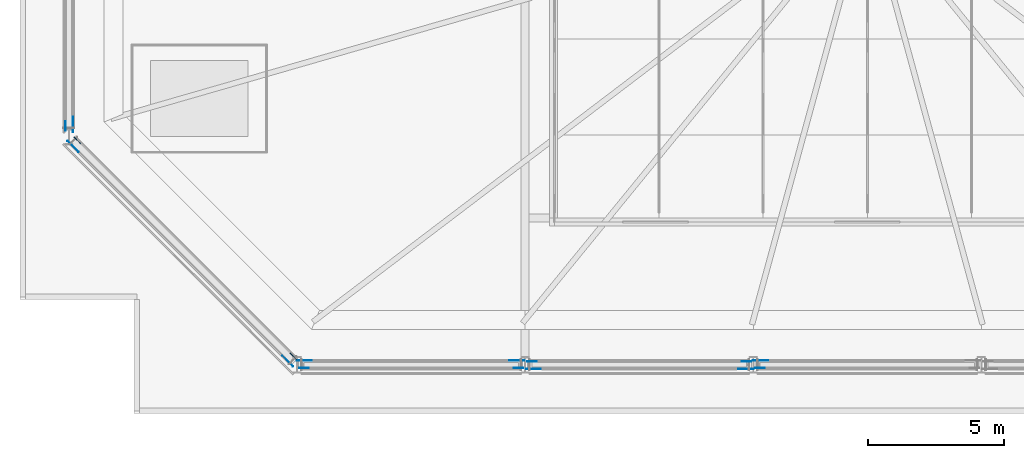
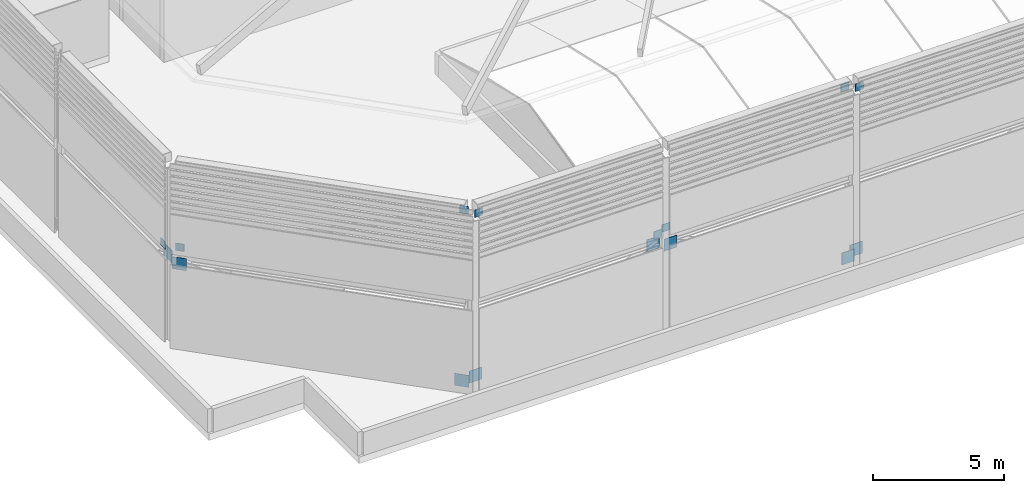
# One storey, part 15 of 22: 16 discrete accessories.
"""IFC4 building model written with IfcOpenShell, lengths in metres."""

from ifc_helpers import new_model, si_unit, direction, frame, origin, origin_2d, place, context, subcontext, project, spatial, rectangle, extrude, element, save


model = new_model("IFC4")

# Units and contexts
model_context = context("Model", 3, precision=1e-05, world=origin(), true_north=direction((0.0, 1.0)))
body_context = subcontext(model_context, "Body", "Model", "MODEL_VIEW")
ifc_project = project(units=[si_unit("LENGTHUNIT", "METRE"), si_unit("AREAUNIT", "SQUARE_METRE"), si_unit("VOLUMEUNIT", "CUBIC_METRE"), si_unit("PLANEANGLEUNIT", "RADIAN"), si_unit("MASSUNIT", "GRAM", prefix="KILO")], contexts=[model_context])

# Site, building, storey
site_placement = place(None, origin())
site = spatial("IfcSite", under=ifc_project, at=site_placement, CompositionType="ELEMENT")
building_placement = place(site_placement, origin())
building = spatial("IfcBuilding", under=site, at=building_placement, Name="Saffron Gate Tower", CompositionType="ELEMENT")
storey_placement = place(building_placement, frame((0.0, 0.0, 314.85009765625)))
storey = spatial("IfcBuildingStorey", under=building, at=storey_placement, Name="Roof crown", CompositionType="ELEMENT", Elevation=314.85009765625)

# Discrete accessories
for number, where, z_axis, x_axis, name in (
    (1, (66.868408203125, 40.35009765625, 0.175537109375), (0.0, 0.0, 1.0), (1.0, 0.0, 0.0), "GUSSET PLATE"),
    (2, (74.701416015625, 40.35009765625, 3.564208984375), (0.0, 0.0, 1.0), (1.0, 0.0, 0.0), "GUSSET PLATE"),
):
    element("IfcDiscreteAccessory", number, at=place(storey_placement, frame(where, z_axis=z_axis, x_axis=x_axis)), inside=storey, Name=name, ObjectType="GUSSET PLATE", PredefinedType="USERDEFINED", context=body_context, shape_type="SweptSolid", body=[
        extrude(rectangle(XDim=0.56005859375, YDim=0.02001953125, at=origin_2d()), origin(), (0.0, 0.0, 1.0), 0.56005859375),
    ])
for number, where, z_axis, x_axis, name in (
    (3, (74.7509765625, 40.077880859375, 4.262451171875), (0.0, 0.0, 1.0), (-1.0, 0.0, 0.0), "GUSSET PLATE"),
    (4, (66.84912109375, 40.077880859375, 8.037109375), (0.0, 0.0, 1.0), (-1.0, 0.0, 0.0), "GUSSET PLATE"),
):
    element("IfcDiscreteAccessory", number, at=place(storey_placement, frame(where, z_axis=z_axis, x_axis=x_axis)), inside=storey, Name=name, ObjectType="GUSSET PLATE", PredefinedType="USERDEFINED", context=body_context, shape_type="SweptSolid", body=[
        extrude(rectangle(XDim=0.35009765625, YDim=0.02001953125, at=origin_2d()), origin(), (0.0, 0.0, 1.0), 0.35009765625),
    ])
for number, where, z_axis, x_axis, name in (
    (5, (83.131591796875, 40.050048828125, 0.175537109375), (0.0, 0.0, 1.0), (-1.0, 0.0, 0.0), "GUSSET PLATE"),
    (6, (75.298583984375, 40.050048828125, 3.564208984375), (0.0, 0.0, 1.0), (-1.0, 0.0, 0.0), "GUSSET PLATE"),
):
    element("IfcDiscreteAccessory", number, at=place(storey_placement, frame(where, z_axis=z_axis, x_axis=x_axis)), inside=storey, Name=name, ObjectType="GUSSET PLATE", PredefinedType="USERDEFINED", context=body_context, shape_type="SweptSolid", body=[
        extrude(rectangle(XDim=0.56005859375, YDim=0.02001953125, at=origin_2d()), origin(), (0.0, 0.0, 1.0), 0.56005859375),
    ])
for number, where, z_axis, x_axis, name in (
    (7, (75.2490234375, 40.322265625, 4.262451171875), (0.0, 0.0, 1.0), (1.0, 0.0, 0.0), "GUSSET PLATE"),
    (8, (83.15087890625, 40.322265625, 8.037109375), (0.0, 0.0, 1.0), (1.0, 0.0, 0.0), "GUSSET PLATE"),
):
    element("IfcDiscreteAccessory", number, at=place(storey_placement, frame(where, z_axis=z_axis, x_axis=x_axis)), inside=storey, Name=name, ObjectType="GUSSET PLATE", PredefinedType="USERDEFINED", context=body_context, shape_type="SweptSolid", body=[
        extrude(rectangle(XDim=0.35009765625, YDim=0.02001953125, at=origin_2d()), origin(), (0.0, 0.0, 1.0), 0.35009765625),
    ])
discrete_accessory_1_placement = place(storey_placement, frame((83.66845703125, 40.35009765625, 0.175537109375), z_axis=(0.0, 0.0, 1.0), x_axis=(1.0, 0.0, 0.0)))
element("IfcDiscreteAccessory", 9, at=discrete_accessory_1_placement, inside=storey, Name="GUSSET PLATE", ObjectType="GUSSET PLATE", PredefinedType="USERDEFINED", context=body_context, shape_type="SweptSolid", body=[
    extrude(rectangle(XDim=0.56005859375, YDim=0.02001953125, at=origin_2d()), origin(), (0.0, 0.0, 1.0), 0.56005859375),
])
discrete_accessory_2_placement = place(storey_placement, frame((83.64892578125, 40.077880859375, 8.037109375), z_axis=(0.0, 0.0, 1.0), x_axis=(-1.0, 0.0, 0.0)))
element("IfcDiscreteAccessory", 10, at=discrete_accessory_2_placement, inside=storey, Name="GUSSET PLATE", ObjectType="GUSSET PLATE", PredefinedType="USERDEFINED", context=body_context, shape_type="SweptSolid", body=[
    extrude(rectangle(XDim=0.35009765625, YDim=0.02001953125, at=origin_2d()), origin(), (0.0, 0.0, 1.0), 0.35009765625),
])
discrete_accessory_3_placement = place(storey_placement, frame((58.35009765625, 49.047607421875, 3.5625), z_axis=(0.0, 0.0, 1.0), x_axis=(0.0, -1.0, 0.0)))
element("IfcDiscreteAccessory", 11, at=discrete_accessory_3_placement, inside=storey, Name="GUSSET PLATE", ObjectType="GUSSET PLATE", PredefinedType="USERDEFINED", context=body_context, shape_type="SweptSolid", body=[
    extrude(rectangle(XDim=0.56005859375, YDim=0.02001953125, at=origin_2d()), origin(), (0.0, 0.0, 1.0), 0.56005859375),
])
discrete_accessory_4_placement = place(storey_placement, frame((58.077880859375, 48.998291015625, 4.263671875), z_axis=(0.0, 0.0, 1.0), x_axis=(0.0, 1.0, 0.0)))
element("IfcDiscreteAccessory", 12, at=discrete_accessory_4_placement, inside=storey, Name="GUSSET PLATE", ObjectType="GUSSET PLATE", PredefinedType="USERDEFINED", context=body_context, shape_type="SweptSolid", body=[
    extrude(rectangle(XDim=0.35009765625, YDim=0.02001953125, at=origin_2d()), origin(), (0.0, 0.0, 1.0), 0.35009765625),
])
for number, where, z_axis, x_axis, name in (
    (13, (66.25634765625, 40.33154296875, 0.160888671875), (0.0, 0.0, 1.0), (-0.707106781187, 0.707106781187, 0.0), "GUSSET PLATE"),
    (14, (58.352783203125, 48.235107421875, 3.578857421875), (0.0, 0.0, 1.0), (-0.707106781187, 0.707106781187, 0.0), "GUSSET PLATE"),
):
    element("IfcDiscreteAccessory", number, at=place(storey_placement, frame(where, z_axis=z_axis, x_axis=x_axis)), inside=storey, Name=name, ObjectType="GUSSET PLATE", PredefinedType="USERDEFINED", context=body_context, shape_type="SweptSolid", body=[
        extrude(rectangle(XDim=0.56005859375, YDim=0.02001953125, at=origin_2d()), origin(), (0.0, 0.0, 1.0), 0.56005859375),
    ])
for number, where, z_axis, x_axis, name in (
    (15, (58.50927734375, 48.463623046875, 4.2529296875), (0.0, 0.0, 1.0), (0.707106781187, -0.707106781187, 0.0), "GUSSET PLATE"),
    (16, (66.463623046875, 40.50927734375, 8.046875), (0.0, 0.0, 1.0), (0.707106781187, -0.707106781187, 0.0), "GUSSET PLATE"),
):
    element("IfcDiscreteAccessory", number, at=place(storey_placement, frame(where, z_axis=z_axis, x_axis=x_axis)), inside=storey, Name=name, ObjectType="GUSSET PLATE", PredefinedType="USERDEFINED", context=body_context, shape_type="SweptSolid", body=[
        extrude(rectangle(XDim=0.35009765625, YDim=0.02001953125, at=origin_2d()), origin(), (0.0, 0.0, 1.0), 0.35009765625),
    ])

save(model, "model.ifc")
